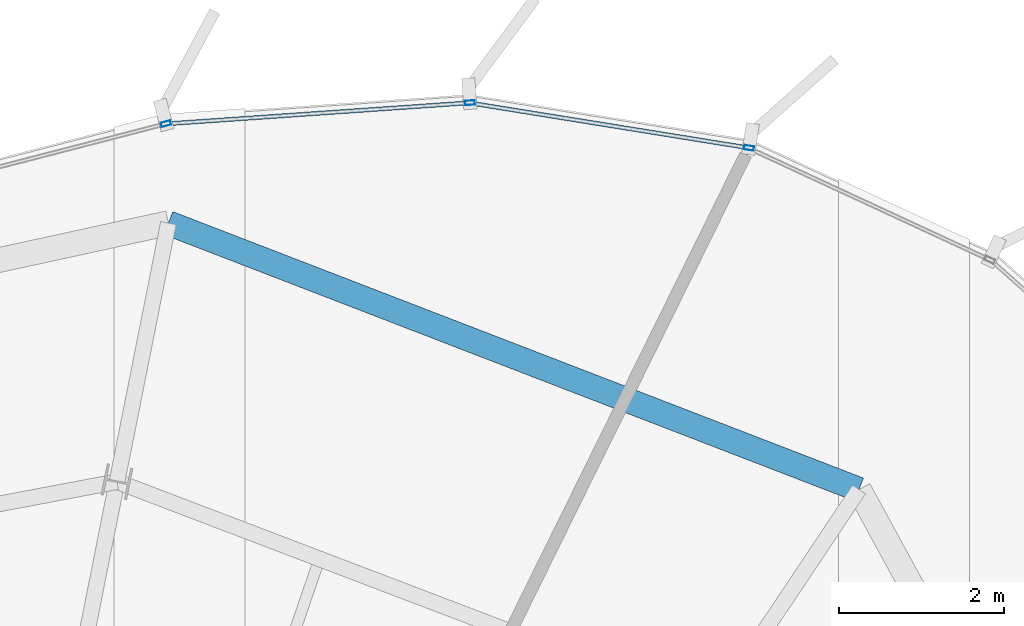
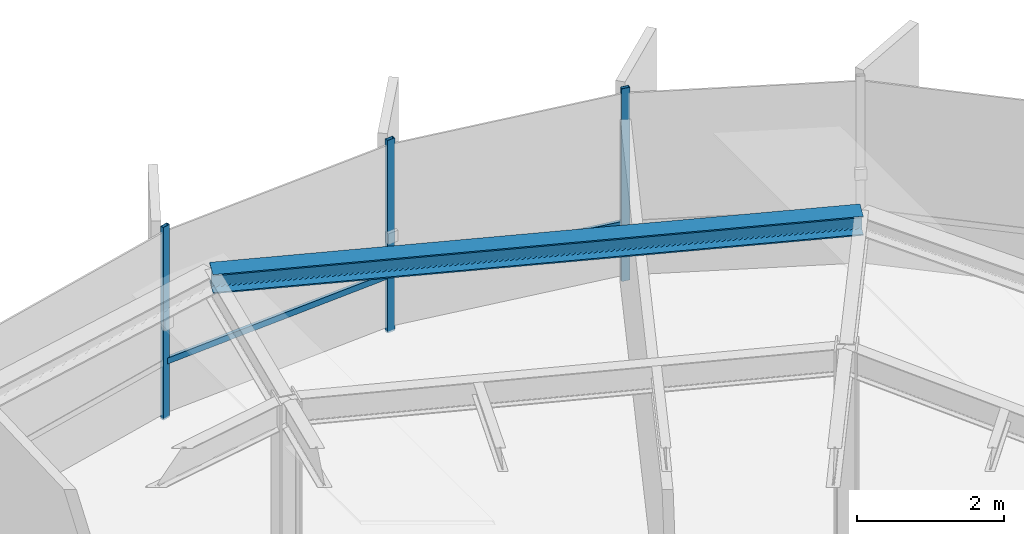
# One storey, part 22 of 34: 5 members, 1 beam, 1 element without a shape of its own.
"""IFC4 building model written with IfcOpenShell, lengths in metres."""

from ifc_helpers import new_model, si_unit, direction, frame, origin, origin_2d, place, context, subcontext, project, spatial, hollow_rectangle, i_section, extrude, source, transform, mapped, material, layer, layer_set, material_profile, profile_set, type_object, element, aggregate, save


model = new_model("IFC4")

# Units and contexts
model_context = context("Model", 3, precision=1e-05, world=origin(), true_north=direction((0.0, 1.0)))
body_context = subcontext(model_context, "Body", "Model", "MODEL_VIEW")
ifc_project = project(units=[si_unit("LENGTHUNIT", "METRE"), si_unit("AREAUNIT", "SQUARE_METRE"), si_unit("VOLUMEUNIT", "CUBIC_METRE"), si_unit("PLANEANGLEUNIT", "RADIAN"), si_unit("MASSUNIT", "GRAM", prefix="KILO"), si_unit("THERMODYNAMICTEMPERATUREUNIT", "KELVIN")], contexts=[model_context])

# Site, building, storey
site_placement = place(None, origin())
site = spatial("IfcSite", under=ifc_project, at=site_placement, CompositionType="ELEMENT")
building_placement = place(site_placement, origin())
building = spatial("IfcBuilding", under=site, at=building_placement, Name="Kethvar Cultural Tower", CompositionType="ELEMENT")
storey_placement = place(building_placement, frame((0.0, 0.0, 262.89990234375)))
storey = spatial("IfcBuildingStorey", under=building, at=storey_placement, Name="L69", CompositionType="ELEMENT", Elevation=262.89990234375)

# Beam
ifc_material_1 = material(Name="Steel S355J2", Category="steel")
ifc_material_profile_1 = material_profile(ifc_material_1, i_section(OverallWidth=0.300048828125, OverallDepth=0.320068359375, WebThickness=0.011474609375, FlangeThickness=0.0205078125, FilletRadius=0.027099609375, at=origin_2d()), Name="Steel S355J2 — HEB320")
ifc_profile_set_1 = profile_set([ifc_material_profile_1], Name="Steel S355J2 — HEB320")
beam_type = type_object("IfcBeamType", Name="BM-SP320", PredefinedType="SPANDREL", material=ifc_profile_set_1)
shared_shape_1 = source(origin(), body_context, "Body", "SweptSolid", [
    extrude(i_section(OverallWidth=0.300048828125, OverallDepth=0.320068359375, WebThickness=0.011474609375, FlangeThickness=0.0205078125, FilletRadius=0.027099609375, at=origin_2d()), origin(), (0.0, 0.0, 1.0), 8.98583984375),
])
beam_placement = place(storey_placement, frame((59.653076171875, 47.035888671875, 3.048095703125), z_axis=(-0.932983803051, 0.359918356359, 0.0), x_axis=(-0.359918356359, -0.932983803051, 0.0)))
element("IfcBeam", 1, at=beam_placement, inside=storey, type_object=beam_type, Name="L69 Perimeter Spandrel Beam SP-03", PredefinedType="SPANDREL", context=body_context, shape_type="MappedRepresentation", body=[
    mapped(shared_shape_1, transform((0.0, 0.0, 0.0), scale=1.0)),
])

# Curtain wall, members
ifc_material_2 = material(Name="Aluminium 6063-T6", Category="aluminium")
ifc_layer = layer(ifc_material_2, 0.179931640625, Name="Aluminium 6063-T6", Category="aluminium")
ifc_layer_set = layer_set([ifc_layer], Name="Aluminium 6063-T6 (180 mm)")
curtain_wall_type = type_object("IfcCurtainWallType", Name="CW-SYS-05-Z56", PredefinedType="NOTDEFINED", material=ifc_layer_set)
curtain_wall_placement = place(storey_placement, origin())
curtain_wall = element("IfcCurtainWall", 2, at=curtain_wall_placement, inside=storey, type_object=curtain_wall_type, Name="L69 Curtain Wall Run 01", PredefinedType="NOTDEFINED")
ifc_material_profile_2 = material_profile(ifc_material_2, hollow_rectangle(XDim=0.054931640625, YDim=0.1201171875, WallThickness=0.00390625, at=origin_2d()), Name="Aluminium 6063-T6 — RHS120x55x4")
ifc_profile_set_2 = profile_set([ifc_material_profile_2], Name="Aluminium 6063-T6 — RHS120x55x4")
member_type_1 = type_object("IfcMemberType", Name="CW-SYS-05-Z56-MUL", PredefinedType="MULLION", material=ifc_profile_set_2)
shared_shape_2 = source(origin(), body_context, "Body", "SweptSolid", [
    extrude(hollow_rectangle(XDim=0.054931640625, YDim=0.1201171875, WallThickness=0.00390625, at=origin_2d()), origin(), (0.0, 0.0, 1.0), 3.210205078125),
])
member_1_placement = place(storey_placement, frame((58.318603515625, 51.18310546875, 0.0), z_axis=(0.0, 0.0, 1.0), x_axis=(-0.158985225513, -0.987280962071, 0.0)))
member_1 = element("IfcMember", 3, at=member_1_placement, type_object=member_type_1, Name="CW-L69-R01 Mullion 2", PredefinedType="MULLION", context=body_context, shape_type="MappedRepresentation", body=[
    mapped(shared_shape_2, transform((0.0, 0.0, 0.0), scale=1.0)),
])
member_2_placement = place(storey_placement, frame((54.93017578125, 51.731201171875, 0.0), z_axis=(0.0, 0.0, 1.0), x_axis=(0.069338608984, -0.997593182266, 0.0)))
member_2 = element("IfcMember", 4, at=member_2_placement, type_object=member_type_1, Name="CW-L69-R01 Mullion 3", PredefinedType="MULLION", context=body_context, shape_type="MappedRepresentation", body=[
    mapped(shared_shape_2, transform((0.0, 0.0, 0.0), scale=1.0)),
])
member_3_placement = place(storey_placement, frame((51.239501953125, 51.476318359375, 0.0), z_axis=(0.0, 0.0, 1.0), x_axis=(0.250177230197, -0.968200058609, 0.0)))
member_3 = element("IfcMember", 5, at=member_3_placement, type_object=member_type_1, Name="CW-L69-R01 Mullion 4", PredefinedType="MULLION", context=body_context, shape_type="MappedRepresentation", body=[
    mapped(shared_shape_2, transform((0.0, 0.0, 0.0), scale=1.0)),
])
ifc_material_profile_3 = material_profile(ifc_material_2, hollow_rectangle(XDim=0.050048828125, YDim=0.10009765625, WallThickness=0.00390625, at=origin_2d()), Name="Aluminium 6063-T6 — RHS100x50x4")
ifc_profile_set_3 = profile_set([ifc_material_profile_3], Name="Aluminium 6063-T6 — RHS100x50x4")
member_type_2 = type_object("IfcMemberType", Name="CW-SYS-05-Z56-TRN", PredefinedType="USERDEFINED", material=ifc_profile_set_3)
shared_shape_3 = source(origin(), body_context, "Body", "SweptSolid", [
    extrude(hollow_rectangle(XDim=0.050048828125, YDim=0.10009765625, WallThickness=0.00390625, at=origin_2d()), origin(), (0.0, 0.0, 1.0), 3.3759765625),
])
member_4_placement = place(storey_placement, frame((58.279296875, 51.189208984375, 0.9501953125), z_axis=(-0.987274470561, 0.159025531846, 0.0), x_axis=(-0.159025531846, -0.987274470561, 0.0)))
member_4 = element("IfcMember", 6, at=member_4_placement, type_object=member_type_2, Name="CW-L69-R01 Transom 2", ObjectType="TRANSOM", PredefinedType="USERDEFINED", context=body_context, shape_type="MappedRepresentation", body=[
    mapped(shared_shape_3, transform((0.0, 0.0, 0.0), scale=1.0)),
])
shared_shape_4 = source(origin(), body_context, "Body", "SweptSolid", [
    extrude(hollow_rectangle(XDim=0.050048828125, YDim=0.10009765625, WallThickness=0.00390625, at=origin_2d()), origin(), (0.0, 0.0, 1.0), 3.638427734375),
])
member_5_placement = place(storey_placement, frame((54.890625, 51.728515625, 0.9501953125), z_axis=(-0.997594779474, -0.069315625694, 0.0), x_axis=(0.069315625694, -0.997594779474, 0.0)))
member_5 = element("IfcMember", 7, at=member_5_placement, type_object=member_type_2, Name="CW-L69-R01 Transom 3", ObjectType="TRANSOM", PredefinedType="USERDEFINED", context=body_context, shape_type="MappedRepresentation", body=[
    mapped(shared_shape_4, transform((0.0, 0.0, 0.0), scale=1.0)),
])
aggregate(curtain_wall, [member_1, member_2, member_3, member_4, member_5])

save(model, "model.ifc")
